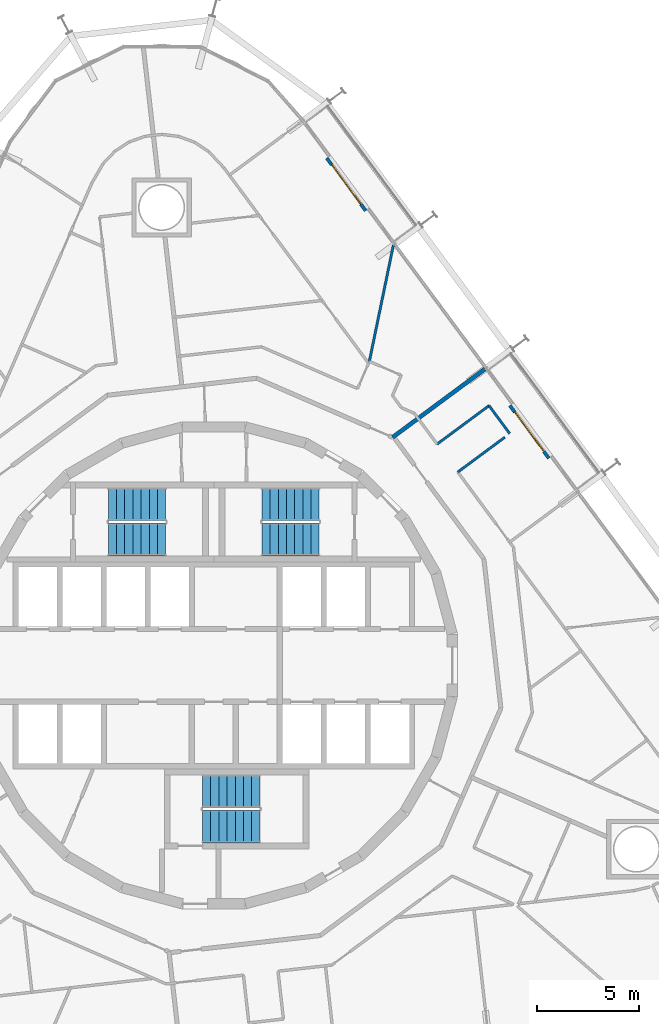
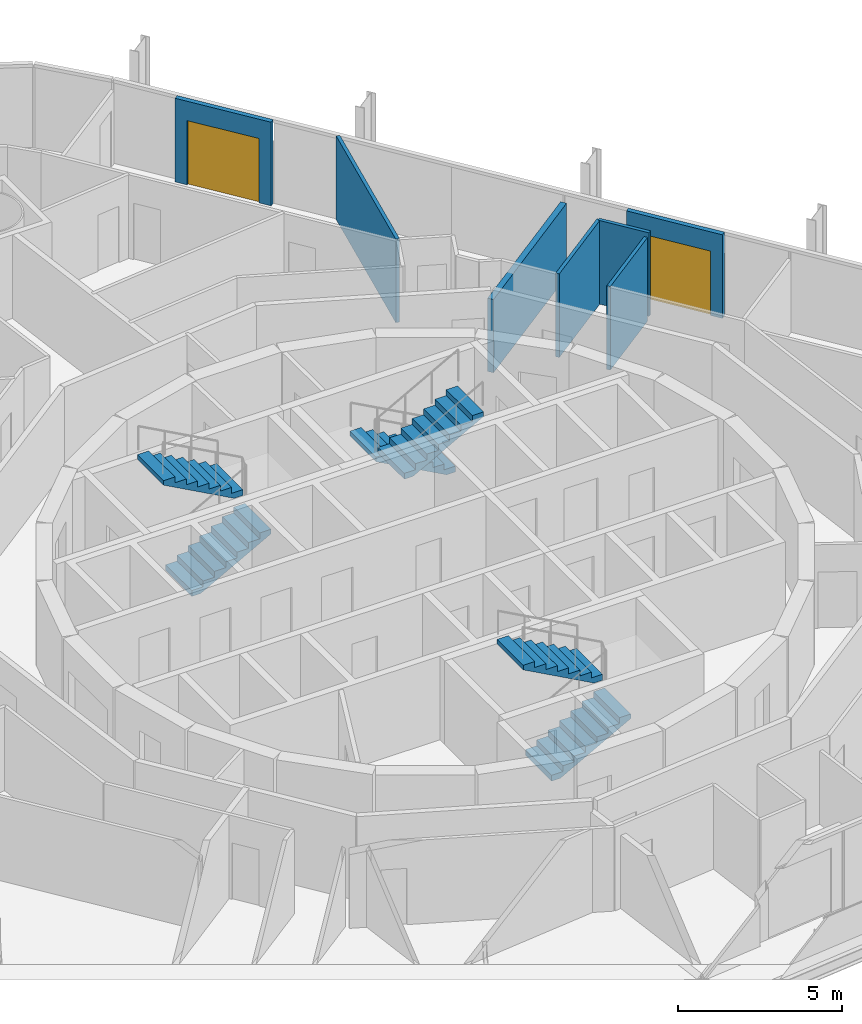
# One storey, part 20 of 22: 7 walls, 6 stair flights, 2 doors, 2 openings, 3 elements without a shape of their own.
"""IFC4 building model written with IfcOpenShell, lengths in metres."""

from ifc_helpers import new_model, si_unit, direction, frame, frame_2d, origin, place, context, subcontext, project, spatial, polyline, rectangle, outline, extrude, material, layer, layer_set, type_object, element, fill, aggregate, save


model = new_model("IFC4")

# Units and contexts
model_context = context("Model", 3, precision=1e-05, world=origin(), true_north=direction((0.0, 1.0)))
body_context = subcontext(model_context, "Body", "Model", "MODEL_VIEW")
ifc_project = project(units=[si_unit("LENGTHUNIT", "METRE"), si_unit("AREAUNIT", "SQUARE_METRE"), si_unit("VOLUMEUNIT", "CUBIC_METRE"), si_unit("PLANEANGLEUNIT", "RADIAN"), si_unit("MASSUNIT", "GRAM", prefix="KILO")], contexts=[model_context])

# Site, building, storey
site_placement = place(None, origin())
site = spatial("IfcSite", under=ifc_project, at=site_placement, CompositionType="ELEMENT")
building_placement = place(site_placement, origin())
building = spatial("IfcBuilding", under=site, at=building_placement, Name="Spindle Arch Residences", CompositionType="ELEMENT")
storey_placement = place(building_placement, frame((0.0, 0.0, 80.199951171875)))
storey = spatial("IfcBuildingStorey", under=building, at=storey_placement, Name="L18", CompositionType="ELEMENT", Elevation=80.199951171875)

# Walls
ifc_material_1 = material(Name="Plasterboard on steel studs", Category="steel")
ifc_layer_1 = layer(ifc_material_1, 0.1201171875)
ifc_layer_set_1 = layer_set([ifc_layer_1], Name="Flat partition 120")
wall_type_1 = type_object("IfcWallType", Name="Flat partition 120", PredefinedType="PARTITIONING", material=ifc_layer_set_1)
wall_1_placement = place(storey_placement, frame((11.9208984375, 9.44384765625, 0.0), z_axis=(0.0, 0.0, 1.0), x_axis=(0.803838630796, 0.594847422151, 0.0)))
element("IfcWall", 1, at=wall_1_placement, inside=storey, type_object=wall_type_1, Name="Flat partition R2A1-W030", PredefinedType="PARTITIONING", context=body_context, shape_type="SweptSolid", body=[
    extrude(rectangle(XDim=2.857421875, YDim=0.1201171875, at=frame_2d((1.4287109375, 0.0))), origin(), (0.0, 0.0, 1.0), 3.1201171875),
])
wall_2_placement = place(storey_placement, frame((14.458984375, 11.322021484375, 0.0), z_axis=(0.0, 0.0, 1.0), x_axis=(-0.594863421241, 0.803826791087, 0.0)))
element("IfcWall", 2, at=wall_2_placement, inside=storey, type_object=wall_type_1, Name="Flat partition R2A1-W031", PredefinedType="PARTITIONING", context=body_context, shape_type="SweptSolid", body=[
    extrude(rectangle(XDim=1.699951171875, YDim=0.1201171875, at=frame_2d((0.85009765625, 0.0))), origin(), (0.0, 0.0, 1.0), 3.1201171875),
])
wall_3_placement = place(storey_placement, frame((13.44775390625, 12.6884765625, 0.0), z_axis=(0.0, 0.0, 1.0), x_axis=(-0.803843378098, -0.594841006898, 0.0)))
element("IfcWall", 3, at=wall_3_placement, inside=storey, type_object=wall_type_1, Name="Flat partition R2A1-W032", PredefinedType="PARTITIONING", context=body_context, shape_type="SweptSolid", body=[
    extrude(rectangle(XDim=3.157470703125, YDim=0.1201171875, at=frame_2d((1.57861328125, 0.0))), origin(), (0.0, 0.0, 1.0), 3.1201171875),
])
wall_4_placement = place(storey_placement, frame((8.771728515625, 20.52099609375, 0.0), z_axis=(0.0, 0.0, 1.0), x_axis=(-0.202291839423, -0.979325283909, 0.0)))
element("IfcWall", 4, at=wall_4_placement, inside=storey, type_object=wall_type_1, Name="Flat partition R2A1-W054", PredefinedType="PARTITIONING", context=body_context, shape_type="SweptSolid", body=[
    extrude(rectangle(XDim=5.789306640625, YDim=0.1201171875, at=frame_2d((2.89453125, 0.0))), origin(), (0.0, 0.0, 1.0), 3.1201171875),
])
ifc_material_2 = material(Name="Calcium silicate block, plastered")
ifc_layer_2 = layer(ifc_material_2, 0.199951171875)
ifc_layer_set_2 = layer_set([ifc_layer_2], Name="Flat party wall 200 under beam 2730")
wall_type_2 = type_object("IfcWallType", Name="Flat party wall 200 under beam 2730", PredefinedType="STANDARD", material=ifc_layer_set_2)
wall_5_placement = place(storey_placement, frame((13.244140625, 14.476806640625, 0.0), z_axis=(0.0, 0.0, 1.0), x_axis=(-0.803853971109, -0.594826691677, 0.0)))
element("IfcWall", 5, at=wall_5_placement, inside=storey, type_object=wall_type_2, Name="Flat party wall R2A1-W016", PredefinedType="STANDARD", context=body_context, shape_type="SweptSolid", body=[
    extrude(rectangle(XDim=5.608642578125, YDim=0.199951171875, at=frame_2d((2.80419921875, 0.0))), origin(), (0.0, 0.0, 1.0), 2.72998046875),
])

# Wall, opening, door
ifc_material_3 = material(Name="Non-combustible mineral wool insulated aluminium faced external wall (K0)", Category="aluminium")
ifc_layer_3 = layer(ifc_material_3, 0.159912109375)
ifc_layer_set_3 = layer_set([ifc_layer_3], Name="Insulated external wall panel 160")
wall_type_3 = type_object("IfcWallType", Name="Insulated external wall panel 160", PredefinedType="STANDARD", material=ifc_layer_set_3)
wall_6_placement = place(storey_placement, frame((16.36767578125, 10.12109375, 0.0), z_axis=(0.0, 0.0, 1.0), x_axis=(-0.594811452818, 0.803865247163, 0.0)))
wall_6 = element("IfcWall", 6, at=wall_6_placement, inside=storey, type_object=wall_type_3, Name="External wall L18 bay 8", PredefinedType="STANDARD", context=body_context, shape_type="SweptSolid", body=[
    extrude(rectangle(XDim=3.199951171875, YDim=0.159912109375, at=frame_2d((1.60009765625, 0.0))), origin(), (0.0, 0.0, 1.0), 3.1201171875),
])
opening_1_placement = place(wall_6_placement, frame((0.39990234375, 0.0, 0.0)))
opening_1 = element("IfcOpeningElement", 7, at=opening_1_placement, cuts=wall_6, Name="Opening BD08", PredefinedType="OPENING", context=body_context, shape_type="SweptSolid", body=[
    extrude(rectangle(XDim=2.39990234375, YDim=2.39990234375, at=frame_2d((1.199951171875, 1.199951171875))), frame((0.0, 0.08984375, 0.0), z_axis=(0.0, -1.0, 0.0), x_axis=(1.0, 0.0, 0.0)), (0.0, 0.0, 1.0), 0.179931640625),
])
ifc_material_4 = material(Name="Bronze aluminium frame, tinted double glazing", Category="aluminium")
door_type = type_object("IfcDoorType", Name="Sliding glazed balcony door 2400x2400", OperationType="DOUBLE_DOOR_SLIDING", PredefinedType="DOOR", material=ifc_material_4)
door_1_placement = place(opening_1_placement, origin())
door_1 = element("IfcDoor", 8, at=door_1_placement, inside=storey, type_object=door_type, Name="Balcony door BD08", OperationType="DOUBLE_DOOR_SLIDING", OverallHeight=2.39990234375, OverallWidth=2.39990234375, PredefinedType="DOOR", context=body_context, shape_type="SweptSolid", body=[
    extrude(rectangle(XDim=2.39990234375, YDim=2.39990234375, at=frame_2d((1.199951171875, 1.199951171875))), frame((0.0, 0.02490234375, 0.0), z_axis=(0.0, -1.0, 0.0), x_axis=(1.0, 0.0, 0.0)), (0.0, 0.0, 1.0), 0.050048828125),
])
fill(opening_1, door_1)

wall_7_placement = place(storey_placement, frame((7.4228515625, 22.209228515625, 0.0), z_axis=(0.0, 0.0, 1.0), x_axis=(-0.594811452818, 0.803865247163, 0.0)))
wall_7 = element("IfcWall", 9, at=wall_7_placement, inside=storey, type_object=wall_type_3, Name="External wall L18 bay 10", PredefinedType="STANDARD", context=body_context, shape_type="SweptSolid", body=[
    extrude(rectangle(XDim=3.199951171875, YDim=0.159912109375, at=frame_2d((1.60009765625, 0.0))), origin(), (0.0, 0.0, 1.0), 3.1201171875),
])
opening_2_placement = place(wall_7_placement, frame((0.39990234375, 0.0, 0.0)))
opening_2 = element("IfcOpeningElement", 10, at=opening_2_placement, cuts=wall_7, Name="Opening BD10", PredefinedType="OPENING", context=body_context, shape_type="SweptSolid", body=[
    extrude(rectangle(XDim=2.39990234375, YDim=2.39990234375, at=frame_2d((1.199951171875, 1.199951171875))), frame((0.0, 0.08984375, 0.0), z_axis=(0.0, -1.0, 0.0), x_axis=(1.0, 0.0, 0.0)), (0.0, 0.0, 1.0), 0.179931640625),
])
door_2_placement = place(opening_2_placement, origin())
door_2 = element("IfcDoor", 11, at=door_2_placement, inside=storey, type_object=door_type, Name="Balcony door BD10", OperationType="DOUBLE_DOOR_SLIDING", OverallHeight=2.39990234375, OverallWidth=2.39990234375, PredefinedType="DOOR", context=body_context, shape_type="SweptSolid", body=[
    extrude(rectangle(XDim=2.39990234375, YDim=2.39990234375, at=frame_2d((1.199951171875, 1.199951171875))), frame((0.0, 0.02490234375, 0.0), z_axis=(0.0, -1.0, 0.0), x_axis=(1.0, 0.0, 0.0)), (0.0, 0.0, 1.0), 0.050048828125),
])
fill(opening_2, door_2)

# Stair, stair flights
ifc_material_5 = material(Name="Concrete C50/60", Category="concrete")
stair_type = type_object("IfcStairType", Name="Exit stair 16 risers", PredefinedType="HALF_TURN_STAIR", material=ifc_material_5)
stair_1_placement = place(storey_placement, origin())
stair_1 = element("IfcStair", 12, at=stair_1_placement, inside=storey, type_object=stair_type, Name="L18 Exit stair ST1", PredefinedType="HALF_TURN_STAIR")
ifc_material_6 = material(Name="Concrete C50/60", Category="concrete")
stair_flight_type = type_object("IfcStairFlightType", Name="Exit stair flight", PredefinedType="STRAIGHT", material=ifc_material_6)
stair_flight_1_placement = place(storey_placement, frame((5.14990234375, 7.8701171875, 0.0), z_axis=(0.0, 0.0, 1.0), x_axis=(-1.0, 0.0, 0.0)))
stair_flight_1 = element("IfcStairFlight", 13, at=stair_flight_1_placement, type_object=stair_flight_type, Name="ST1 flight 1", NumberOfRisers=8, NumberOfTreads=7, PredefinedType="STRAIGHT", RiserHeight=0.21875, TreadLength=0.4, context=body_context, shape_type="SweptSolid", body=[
    extrude(outline(polyline([(0.0, 0.0), (0.0, 0.21875), (0.39990234375, 0.21875), (0.39990234375, 0.4375), (0.800048828125, 0.4375), (0.800048828125, 0.65625), (1.199951171875, 0.65625), (1.199951171875, 0.875), (1.60009765625, 0.875), (1.60009765625, 1.09375), (2.0, 1.09375), (2.0, 1.3125), (2.39990234375, 1.3125), (2.39990234375, 1.53125), (2.800048828125, 1.53125), (2.800048828125, 1.75), (2.800048828125, 1.3603515625), (0.3125, 0.0), (0.0, 0.0)])), frame((0.0, 0.800048828125, 0.0), z_axis=(0.0, -1.0, 0.0), x_axis=(1.0, 0.0, 0.0)), (0.0, 0.0, 1.0), 1.60009765625),
])
stair_flight_2_placement = place(storey_placement, frame((2.35009765625, 6.14990234375, 1.75), z_axis=(0.0, 0.0, 1.0), x_axis=(1.0, 0.0, 0.0)))
stair_flight_2 = element("IfcStairFlight", 14, at=stair_flight_2_placement, type_object=stair_flight_type, Name="ST1 flight 2", NumberOfRisers=8, NumberOfTreads=7, PredefinedType="STRAIGHT", RiserHeight=0.21875, TreadLength=0.4, context=body_context, shape_type="SweptSolid", body=[
    extrude(outline(polyline([(0.0, 0.0), (0.0, 0.21875), (0.39990234375, 0.21875), (0.39990234375, 0.4375), (0.800048828125, 0.4375), (0.800048828125, 0.65625), (1.199951171875, 0.65625), (1.199951171875, 0.875), (1.60009765625, 0.875), (1.60009765625, 1.09375), (2.0, 1.09375), (2.0, 1.3125), (2.39990234375, 1.3125), (2.39990234375, 1.53125), (2.800048828125, 1.53125), (2.800048828125, 1.75), (2.800048828125, 1.3603515625), (0.3125, 0.0), (0.0, 0.0)])), frame((0.0, 0.800048828125, 0.0), z_axis=(0.0, -1.0, 0.0), x_axis=(1.0, 0.0, 0.0)), (0.0, 0.0, 1.0), 1.60009765625),
])
aggregate(stair_1, [stair_flight_1, stair_flight_2])

stair_2_placement = place(storey_placement, origin())
stair_2 = element("IfcStair", 15, at=stair_2_placement, inside=storey, type_object=stair_type, Name="L18 Exit stair ST2", PredefinedType="HALF_TURN_STAIR")
stair_flight_3_placement = place(storey_placement, frame((-5.14990234375, 6.14990234375, 0.0), z_axis=(0.0, 0.0, 1.0), x_axis=(1.0, 0.0, 0.0)))
stair_flight_3 = element("IfcStairFlight", 16, at=stair_flight_3_placement, type_object=stair_flight_type, Name="ST2 flight 1", NumberOfRisers=8, NumberOfTreads=7, PredefinedType="STRAIGHT", RiserHeight=0.21875, TreadLength=0.4, context=body_context, shape_type="SweptSolid", body=[
    extrude(outline(polyline([(0.0, 0.0), (0.0, 0.21875), (0.39990234375, 0.21875), (0.39990234375, 0.4375), (0.800048828125, 0.4375), (0.800048828125, 0.65625), (1.199951171875, 0.65625), (1.199951171875, 0.875), (1.60009765625, 0.875), (1.60009765625, 1.09375), (2.0, 1.09375), (2.0, 1.3125), (2.39990234375, 1.3125), (2.39990234375, 1.53125), (2.800048828125, 1.53125), (2.800048828125, 1.75), (2.800048828125, 1.3603515625), (0.3125, 0.0), (0.0, 0.0)])), frame((0.0, 0.800048828125, 0.0), z_axis=(0.0, -1.0, 0.0), x_axis=(1.0, 0.0, 0.0)), (0.0, 0.0, 1.0), 1.60009765625),
])
stair_flight_4_placement = place(storey_placement, frame((-2.35009765625, 7.8701171875, 1.75), z_axis=(0.0, 0.0, 1.0), x_axis=(-1.0, 0.0, 0.0)))
stair_flight_4 = element("IfcStairFlight", 17, at=stair_flight_4_placement, type_object=stair_flight_type, Name="ST2 flight 2", NumberOfRisers=8, NumberOfTreads=7, PredefinedType="STRAIGHT", RiserHeight=0.21875, TreadLength=0.4, context=body_context, shape_type="SweptSolid", body=[
    extrude(outline(polyline([(0.0, 0.0), (0.0, 0.21875), (0.39990234375, 0.21875), (0.39990234375, 0.4375), (0.800048828125, 0.4375), (0.800048828125, 0.65625), (1.199951171875, 0.65625), (1.199951171875, 0.875), (1.60009765625, 0.875), (1.60009765625, 1.09375), (2.0, 1.09375), (2.0, 1.3125), (2.39990234375, 1.3125), (2.39990234375, 1.53125), (2.800048828125, 1.53125), (2.800048828125, 1.75), (2.800048828125, 1.3603515625), (0.3125, 0.0), (0.0, 0.0)])), frame((0.0, 0.800048828125, 0.0), z_axis=(0.0, -1.0, 0.0), x_axis=(1.0, 0.0, 0.0)), (0.0, 0.0, 1.0), 1.60009765625),
])
aggregate(stair_2, [stair_flight_3, stair_flight_4])

stair_3_placement = place(storey_placement, origin())
stair_3 = element("IfcStair", 18, at=stair_3_placement, inside=storey, type_object=stair_type, Name="L18 Exit stair ST3", PredefinedType="HALF_TURN_STAIR")
stair_flight_5_placement = place(storey_placement, frame((-0.550048828125, -7.8701171875, 0.0), z_axis=(0.0, 0.0, 1.0), x_axis=(1.0, 0.0, 0.0)))
stair_flight_5 = element("IfcStairFlight", 19, at=stair_flight_5_placement, type_object=stair_flight_type, Name="ST3 flight 1", NumberOfRisers=8, NumberOfTreads=7, PredefinedType="STRAIGHT", RiserHeight=0.21875, TreadLength=0.4, context=body_context, shape_type="SweptSolid", body=[
    extrude(outline(polyline([(0.0, 0.0), (0.0, 0.21875), (0.39990234375, 0.21875), (0.39990234375, 0.4375), (0.800048828125, 0.4375), (0.800048828125, 0.65625), (1.199951171875, 0.65625), (1.199951171875, 0.875), (1.60009765625, 0.875), (1.60009765625, 1.09375), (2.0, 1.09375), (2.0, 1.3125), (2.39990234375, 1.3125), (2.39990234375, 1.53125), (2.800048828125, 1.53125), (2.800048828125, 1.75), (2.800048828125, 1.3603515625), (0.3125, 0.0), (0.0, 0.0)])), frame((0.0, 0.800048828125, 0.0), z_axis=(0.0, -1.0, 0.0), x_axis=(1.0, 0.0, 0.0)), (0.0, 0.0, 1.0), 1.60009765625),
])
stair_flight_6_placement = place(storey_placement, frame((2.25, -6.14990234375, 1.75), z_axis=(0.0, 0.0, 1.0), x_axis=(-1.0, 0.0, 0.0)))
stair_flight_6 = element("IfcStairFlight", 20, at=stair_flight_6_placement, type_object=stair_flight_type, Name="ST3 flight 2", NumberOfRisers=8, NumberOfTreads=7, PredefinedType="STRAIGHT", RiserHeight=0.21875, TreadLength=0.4, context=body_context, shape_type="SweptSolid", body=[
    extrude(outline(polyline([(0.0, 0.0), (0.0, 0.21875), (0.39990234375, 0.21875), (0.39990234375, 0.4375), (0.800048828125, 0.4375), (0.800048828125, 0.65625), (1.199951171875, 0.65625), (1.199951171875, 0.875), (1.60009765625, 0.875), (1.60009765625, 1.09375), (2.0, 1.09375), (2.0, 1.3125), (2.39990234375, 1.3125), (2.39990234375, 1.53125), (2.800048828125, 1.53125), (2.800048828125, 1.75), (2.800048828125, 1.3603515625), (0.3125, 0.0), (0.0, 0.0)])), frame((0.0, 0.800048828125, 0.0), z_axis=(0.0, -1.0, 0.0), x_axis=(1.0, 0.0, 0.0)), (0.0, 0.0, 1.0), 1.60009765625),
])
aggregate(stair_3, [stair_flight_5, stair_flight_6])

save(model, "model.ifc")
